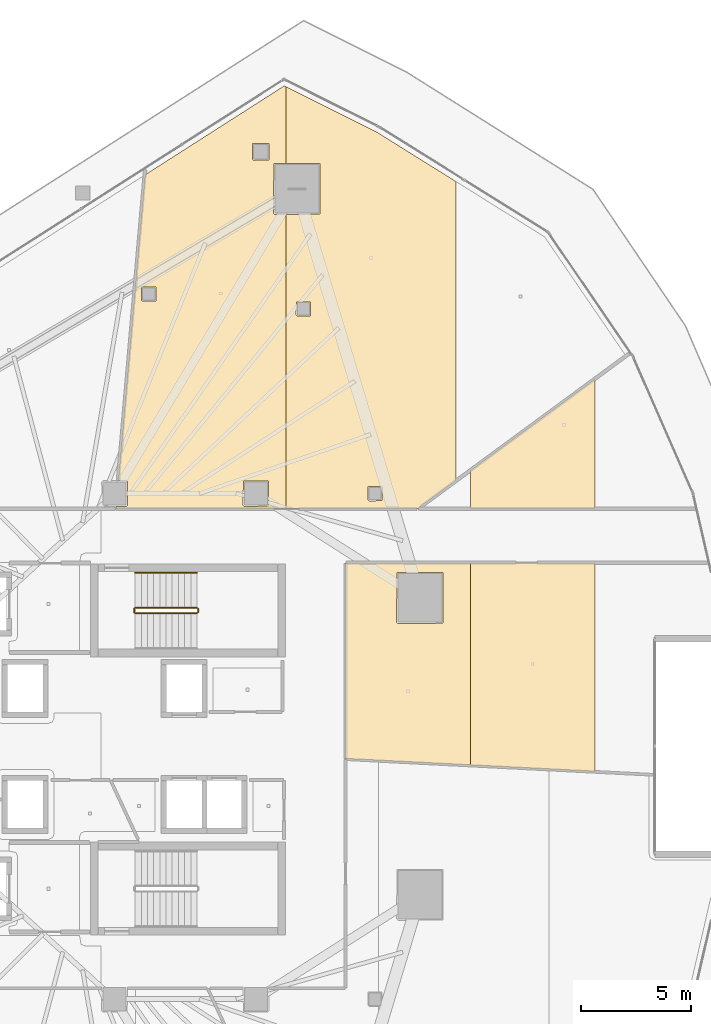
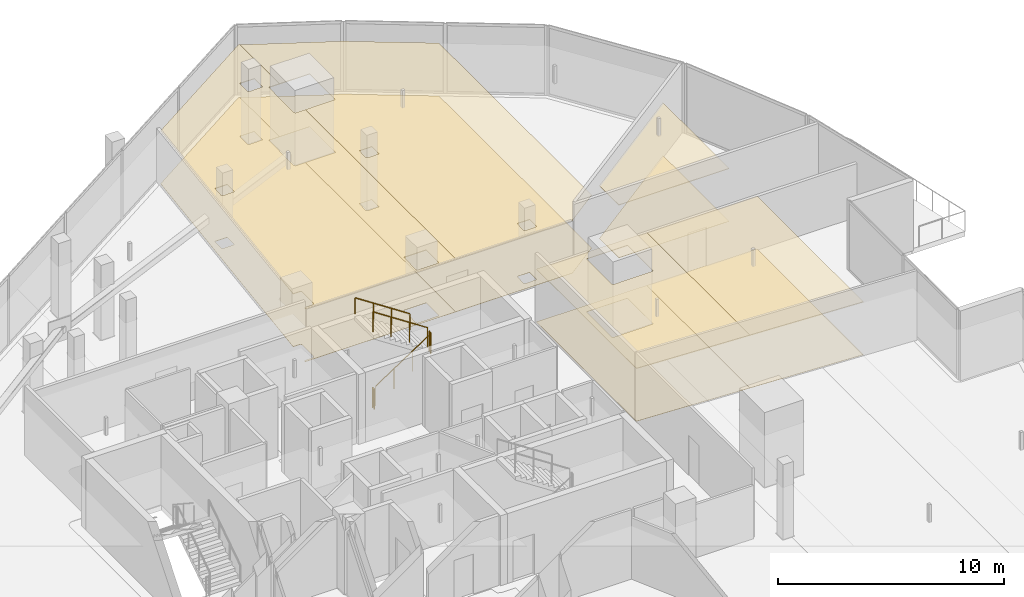
# One storey, part 39 of 40: 10 coverings, 5 railings.
"""IFC4 building model written with IfcOpenShell, lengths in metres."""

from ifc_helpers import new_model, si_unit, direction, frame, origin, origin_2d, place, context, subcontext, project, spatial, polyline, circle, outline, extrude, material, layer, layer_set, type_object, element, save


model = new_model("IFC4")

# Units and contexts
model_context = context("Model", 3, precision=1e-05, world=origin(), true_north=direction((0.0, 1.0)))
body_context = subcontext(model_context, "Body", "Model", "MODEL_VIEW")
ifc_project = project(units=[si_unit("LENGTHUNIT", "METRE"), si_unit("AREAUNIT", "SQUARE_METRE"), si_unit("VOLUMEUNIT", "CUBIC_METRE"), si_unit("PLANEANGLEUNIT", "RADIAN"), si_unit("MASSUNIT", "GRAM", prefix="KILO")], contexts=[model_context])

# Site, building, storey
site_placement = place(None, origin())
site = spatial("IfcSite", under=ifc_project, at=site_placement, CompositionType="ELEMENT")
building_placement = place(site_placement, origin())
building = spatial("IfcBuilding", under=site, at=building_placement, Name="Qorvath Tower", CompositionType="ELEMENT")
storey_placement = place(building_placement, frame((0.0, 0.0, 138.14990234375)))
storey = spatial("IfcBuildingStorey", under=building, at=storey_placement, Name="L31", CompositionType="ELEMENT", Elevation=138.14990234375)

# Coverings
ifc_material_1 = material(Name="Acoustic mineral fibre ceiling tile", Category="gypsum")
ifc_layer_1 = layer(ifc_material_1, 0.030029296875)
ifc_layer_set_1 = layer_set([ifc_layer_1], Name="COV-CEIL")
covering_type_1 = type_object("IfcCoveringType", Name="COV-CEIL", PredefinedType="CEILING", material=ifc_layer_set_1)
covering_1_placement = place(storey_placement, frame((0.0, 0.0, 2.85009765625)))
element("IfcCovering", 1, at=covering_1_placement, inside=storey, type_object=covering_type_1, Name="L31 Suspended Acoustic Ceiling 023", PredefinedType="CEILING", context=body_context, shape_type="SweptSolid", body=[
    extrude(outline(polyline([(-7.492431640625, -0.853515625), (-7.492431640625, 8.3076171875), (-13.136962890625, 8.306884765625), (-13.136962890625, -0.56591796875), (-7.492431640625, -0.853515625)]), holes=[polyline([(-10.830322265625, 5.621337890625), (-10.812744140625, 7.86376953125), (-8.727783203125, 7.86376953125), (-8.727783203125, 5.578857421875), (-10.770263671875, 5.561279296875), (-10.830322265625, 5.621337890625)])]), origin(), (0.0, 0.0, 1.0), 0.030029296875),
])
covering_2_placement = place(storey_placement, frame((0.0, 0.0, 2.85009765625)))
element("IfcCovering", 2, at=covering_2_placement, inside=storey, type_object=covering_type_1, Name="L31 Suspended Acoustic Ceiling 024", PredefinedType="CEILING", context=body_context, shape_type="SweptSolid", body=[
    extrude(outline(polyline([(-1.84765625, -1.14111328125), (-1.84765625, 8.308349609375), (-7.492431640625, 8.3076171875), (-7.492431640625, -0.853515625), (-1.84765625, -1.14111328125)])), origin(), (0.0, 0.0, 1.0), 0.030029296875),
])
covering_3_placement = place(storey_placement, frame((0.0, 0.0, 2.85009765625)))
element("IfcCovering", 3, at=covering_3_placement, inside=storey, type_object=covering_type_1, Name="L31 Suspended Acoustic Ceiling 025", PredefinedType="CEILING", context=body_context, shape_type="SweptSolid", body=[
    extrude(outline(polyline([(-1.84765625, 10.762939453125), (-1.84765625, 16.640869140625), (-7.492431640625, 12.49267578125), (-7.492431640625, 10.762939453125), (-1.84765625, 10.762939453125)])), origin(), (0.0, 0.0, 1.0), 0.030029296875),
])
covering_4_placement = place(storey_placement, frame((0.0, 0.0, 2.85009765625)))
element("IfcCovering", 4, at=covering_4_placement, inside=storey, type_object=covering_type_1, Name="L31 Suspended Acoustic Ceiling 026", PredefinedType="CEILING", context=body_context, shape_type="SweptSolid", body=[
    extrude(outline(polyline([(-15.91552734375, 29.914794921875), (-22.222412109375, 25.8837890625), (-23.43408203125, 12.034912109375), (-23.074951171875, 12.034912109375), (-23.014892578125, 11.97509765625), (-23.014892578125, 10.925048828125), (-23.074951171875, 10.864990234375), (-23.536376953125, 10.864990234375), (-23.54541015625, 10.762939453125), (-15.84619140625, 10.762939453125), (-15.84619140625, 24.09033203125), (-16.34423828125, 24.086181640625), (-16.404296875, 24.14599609375), (-16.38671875, 26.388427734375), (-15.84619140625, 26.388427734375), (-15.84619140625, 29.880126953125), (-15.91552734375, 29.914794921875)]), holes=[polyline([(-17.3662109375, 26.604248046875), (-17.3486328125, 27.296630859375), (-16.61376953125, 27.296630859375), (-16.61376953125, 26.561767578125), (-17.30615234375, 26.544189453125), (-17.3662109375, 26.604248046875)]), polyline([(-17.784912109375, 10.925048828125), (-17.767333984375, 12.017333984375), (-16.632568359375, 12.017333984375), (-16.632568359375, 10.882568359375), (-17.72509765625, 10.864990234375), (-17.784912109375, 10.925048828125)]), polyline([(-22.38818359375, 20.219970703125), (-22.37060546875, 20.812255859375), (-21.73583984375, 20.812255859375), (-21.73583984375, 20.177490234375), (-22.328125, 20.159912109375), (-22.38818359375, 20.219970703125)])]), origin(), (0.0, 0.0, 1.0), 0.030029296875),
])
covering_5_placement = place(storey_placement, frame((0.0, 0.0, 2.85009765625)))
element("IfcCovering", 5, at=covering_5_placement, inside=storey, type_object=covering_type_1, Name="L31 Suspended Acoustic Ceiling 027", PredefinedType="CEILING", context=body_context, shape_type="SweptSolid", body=[
    extrude(outline(polyline([(-15.84619140625, 29.880126953125), (-15.84619140625, 26.388427734375), (-14.3017578125, 26.388427734375), (-14.3017578125, 24.103759765625), (-15.84619140625, 24.09033203125), (-15.84619140625, 10.762939453125), (-9.876220703125, 10.762939453125), (-8.147216796875, 12.03369140625), (-8.147216796875, 25.584716796875), (-11.740234375, 27.8271484375), (-15.84619140625, 29.880126953125)]), holes=[polyline([(-12.135009765625, 11.175048828125), (-12.117431640625, 11.767333984375), (-11.482666015625, 11.767333984375), (-11.482666015625, 11.132568359375), (-12.074951171875, 11.114990234375), (-12.135009765625, 11.175048828125)]), polyline([(-15.381103515625, 19.543212890625), (-15.363525390625, 20.135498046875), (-14.728759765625, 20.135498046875), (-14.728759765625, 19.500732421875), (-15.321044921875, 19.483154296875), (-15.381103515625, 19.543212890625)])]), origin(), (0.0, 0.0, 1.0), 0.030029296875),
])
ifc_material_2 = material(Name="Low-VOC modular carpet tile", Category="textile")
ifc_layer_2 = layer(ifc_material_2, 0.014892578125)
ifc_layer_set_2 = layer_set([ifc_layer_2], Name="COV-FLOOR-CPT")
covering_type_2 = type_object("IfcCoveringType", Name="COV-FLOOR-CPT", PredefinedType="FLOORING", material=ifc_layer_set_2)
covering_6_placement = place(storey_placement, origin())
element("IfcCovering", 6, at=covering_6_placement, inside=storey, type_object=covering_type_2, Name="L31 Floor Finish 023", PredefinedType="FLOORING", context=body_context, shape_type="SweptSolid", body=[
    extrude(outline(polyline([(-7.492431640625, -0.853515625), (-7.492431640625, 8.3076171875), (-13.136962890625, 8.306884765625), (-13.136962890625, -0.56591796875), (-7.492431640625, -0.853515625)]), holes=[polyline([(-10.830322265625, 5.621337890625), (-10.812744140625, 7.86376953125), (-8.727783203125, 7.86376953125), (-8.727783203125, 5.578857421875), (-10.770263671875, 5.561279296875), (-10.830322265625, 5.621337890625)])]), origin(), (0.0, 0.0, 1.0), 0.01513671875),
])
covering_7_placement = place(storey_placement, origin())
element("IfcCovering", 7, at=covering_7_placement, inside=storey, type_object=covering_type_2, Name="L31 Floor Finish 024", PredefinedType="FLOORING", context=body_context, shape_type="SweptSolid", body=[
    extrude(outline(polyline([(-1.84765625, -1.14111328125), (-1.84765625, 8.308349609375), (-7.492431640625, 8.3076171875), (-7.492431640625, -0.853515625), (-1.84765625, -1.14111328125)])), origin(), (0.0, 0.0, 1.0), 0.01513671875),
])
covering_8_placement = place(storey_placement, origin())
element("IfcCovering", 8, at=covering_8_placement, inside=storey, type_object=covering_type_2, Name="L31 Floor Finish 025", PredefinedType="FLOORING", context=body_context, shape_type="SweptSolid", body=[
    extrude(outline(polyline([(-1.84765625, 10.762939453125), (-1.84765625, 16.640869140625), (-7.492431640625, 12.49267578125), (-7.492431640625, 10.762939453125), (-1.84765625, 10.762939453125)])), origin(), (0.0, 0.0, 1.0), 0.01513671875),
])
covering_9_placement = place(storey_placement, origin())
element("IfcCovering", 9, at=covering_9_placement, inside=storey, type_object=covering_type_2, Name="L31 Floor Finish 026", PredefinedType="FLOORING", context=body_context, shape_type="SweptSolid", body=[
    extrude(outline(polyline([(-15.91552734375, 29.914794921875), (-22.222412109375, 25.8837890625), (-23.43408203125, 12.034912109375), (-23.074951171875, 12.034912109375), (-23.014892578125, 11.97509765625), (-23.014892578125, 10.925048828125), (-23.074951171875, 10.864990234375), (-23.536376953125, 10.864990234375), (-23.54541015625, 10.762939453125), (-15.84619140625, 10.762939453125), (-15.84619140625, 24.09033203125), (-16.34423828125, 24.086181640625), (-16.404296875, 24.14599609375), (-16.38671875, 26.388427734375), (-15.84619140625, 26.388427734375), (-15.84619140625, 29.880126953125), (-15.91552734375, 29.914794921875)]), holes=[polyline([(-17.3662109375, 26.604248046875), (-17.3486328125, 27.296630859375), (-16.61376953125, 27.296630859375), (-16.61376953125, 26.561767578125), (-17.30615234375, 26.544189453125), (-17.3662109375, 26.604248046875)]), polyline([(-17.784912109375, 10.925048828125), (-17.767333984375, 12.017333984375), (-16.632568359375, 12.017333984375), (-16.632568359375, 10.882568359375), (-17.72509765625, 10.864990234375), (-17.784912109375, 10.925048828125)]), polyline([(-22.38818359375, 20.219970703125), (-22.37060546875, 20.812255859375), (-21.73583984375, 20.812255859375), (-21.73583984375, 20.177490234375), (-22.328125, 20.159912109375), (-22.38818359375, 20.219970703125)])]), origin(), (0.0, 0.0, 1.0), 0.01513671875),
])
covering_10_placement = place(storey_placement, origin())
element("IfcCovering", 10, at=covering_10_placement, inside=storey, type_object=covering_type_2, Name="L31 Floor Finish 027", PredefinedType="FLOORING", context=body_context, shape_type="SweptSolid", body=[
    extrude(outline(polyline([(-15.84619140625, 29.880126953125), (-15.84619140625, 26.388427734375), (-14.3017578125, 26.388427734375), (-14.3017578125, 24.103759765625), (-15.84619140625, 24.09033203125), (-15.84619140625, 10.762939453125), (-9.876220703125, 10.762939453125), (-8.147216796875, 12.03369140625), (-8.147216796875, 25.584716796875), (-11.740234375, 27.8271484375), (-15.84619140625, 29.880126953125)]), holes=[polyline([(-12.135009765625, 11.175048828125), (-12.117431640625, 11.767333984375), (-11.482666015625, 11.767333984375), (-11.482666015625, 11.132568359375), (-12.074951171875, 11.114990234375), (-12.135009765625, 11.175048828125)]), polyline([(-15.381103515625, 19.543212890625), (-15.363525390625, 20.135498046875), (-14.728759765625, 20.135498046875), (-14.728759765625, 19.500732421875), (-15.321044921875, 19.483154296875), (-15.381103515625, 19.543212890625)])]), origin(), (0.0, 0.0, 1.0), 0.01513671875),
])

# Railings
ifc_material_3 = material(Name="Painted galvanised steel", Category="steel")
railing_type_1 = type_object("IfcRailingType", Name="RL-STR-GRD", PredefinedType="GUARDRAIL", material=ifc_material_3)
railing_1_placement = place(storey_placement, frame((-22.669921875, 6.030029296875, 0.18408203125)))
element("IfcRailing", 11, at=railing_1_placement, inside=storey, type_object=railing_type_1, Name="L31 TS1 stair guard 1", PredefinedType="GUARDRAIL", context=body_context, shape_type="SweptSolid", body=[
    extrude(circle(Radius=0.02392578125, at=origin_2d()), frame((0.0, 0.0, 1.076171875), z_axis=(0.835542071712, 0.0, 0.549426470421), x_axis=(0.0, 1.0, 0.0)), (0.0, 0.0, 1.0), 3.350830078125),
    extrude(circle(Radius=0.02099609375, at=origin_2d()), origin(), (0.0, 0.0, 1.0), 1.052001953125),
    extrude(circle(Radius=0.02099609375, at=origin_2d()), frame((0.933349609375, 0.0, 0.61376953125)), (0.0, 0.0, 1.0), 1.052001953125),
    extrude(circle(Radius=0.02099609375, at=origin_2d()), frame((1.866455078125, 0.0, 1.227294921875)), (0.0, 0.0, 1.0), 1.052001953125),
    extrude(circle(Radius=0.02099609375, at=origin_2d()), frame((2.7998046875, 0.0, 1.841064453125)), (0.0, 0.0, 1.0), 1.052001953125),
])
railing_2_placement = place(storey_placement, frame((-19.820068359375, 6.080078125, 2.025146484375)))
element("IfcRailing", 12, at=railing_2_placement, inside=storey, type_object=railing_type_1, Name="L31 TS1 stair guard 2", PredefinedType="GUARDRAIL", context=body_context, shape_type="SweptSolid", body=[
    extrude(circle(Radius=0.02392578125, at=origin_2d()), frame((0.0, 0.0, 1.076171875), z_axis=(0.0, 1.0, 0.0), x_axis=(-1.0, 0.0, 0.0)), (0.0, 0.0, 1.0), 0.14990234375),
    extrude(circle(Radius=0.02099609375, at=origin_2d()), origin(), (0.0, 0.0, 1.0), 1.052001953125),
    extrude(circle(Radius=0.02099609375, at=origin_2d()), frame((0.0, 0.14990234375, 0.0)), (0.0, 0.0, 1.0), 1.052001953125),
])
railing_3_placement = place(storey_placement, frame((-19.8701171875, 6.280029296875, 2.209228515625)))
element("IfcRailing", 13, at=railing_3_placement, inside=storey, type_object=railing_type_1, Name="L31 TS1 stair guard 3", PredefinedType="GUARDRAIL", context=body_context, shape_type="SweptSolid", body=[
    extrude(circle(Radius=0.02392578125, at=origin_2d()), frame((0.0, 0.0, 1.076171875), z_axis=(-0.835575518608, 0.0, 0.549375602573), x_axis=(0.0, -1.0, 0.0)), (0.0, 0.0, 1.0), 3.350830078125),
    extrude(circle(Radius=0.02099609375, at=origin_2d()), origin(), (0.0, 0.0, 1.0), 1.052001953125),
    extrude(circle(Radius=0.02099609375, at=origin_2d()), frame((-0.933349609375, 0.0, 0.613525390625)), (0.0, 0.0, 1.0), 1.052001953125),
    extrude(circle(Radius=0.02099609375, at=origin_2d()), frame((-1.866455078125, 0.0, 1.227294921875)), (0.0, 0.0, 1.0), 1.052001953125),
    extrude(circle(Radius=0.02099609375, at=origin_2d()), frame((-2.7998046875, 0.0, 1.8408203125)), (0.0, 0.0, 1.0), 1.052001953125),
])
railing_4_placement = place(storey_placement, frame((-22.719970703125, 6.080078125, 0.0)))
element("IfcRailing", 14, at=railing_4_placement, inside=storey, type_object=railing_type_1, Name="L31 TS1 stair guard 4", PredefinedType="GUARDRAIL", context=body_context, shape_type="SweptSolid", body=[
    extrude(circle(Radius=0.02392578125, at=origin_2d()), frame((0.0, 0.0, 1.076171875), z_axis=(0.0, 1.0, 0.0), x_axis=(-1.0, 0.0, 0.0)), (0.0, 0.0, 1.0), 0.14990234375),
    extrude(circle(Radius=0.02099609375, at=origin_2d()), origin(), (0.0, 0.0, 1.0), 1.052001953125),
    extrude(circle(Radius=0.02099609375, at=origin_2d()), frame((0.0, 0.14990234375, 0.0)), (0.0, 0.0, 1.0), 1.052001953125),
])
ifc_material_4 = material(Name="Brushed stainless steel AISI 304", Category="steel")
railing_type_2 = type_object("IfcRailingType", Name="RL-STR-HND", PredefinedType="HANDRAIL", material=ifc_material_4)
railing_5_placement = place(storey_placement, frame((-19.8701171875, 7.860107421875, 2.209228515625)))
element("IfcRailing", 15, at=railing_5_placement, inside=storey, type_object=railing_type_2, Name="L31 TS1 stair handrail 2", PredefinedType="HANDRAIL", context=body_context, shape_type="SweptSolid", body=[
    extrude(circle(Radius=0.02392578125, at=origin_2d()), frame((0.0, 0.0, 0.8759765625), z_axis=(-0.835575518608, 0.0, 0.549375602573), x_axis=(0.0, -1.0, 0.0)), (0.0, 0.0, 1.0), 3.350830078125),
    extrude(circle(Radius=0.02099609375, at=origin_2d()), origin(), (0.0, 0.0, 1.0), 0.851806640625),
    extrude(circle(Radius=0.02099609375, at=origin_2d()), frame((-0.933349609375, 0.0, 0.613525390625)), (0.0, 0.0, 1.0), 0.851806640625),
    extrude(circle(Radius=0.02099609375, at=origin_2d()), frame((-1.866455078125, 0.0, 1.227294921875)), (0.0, 0.0, 1.0), 0.851806640625),
    extrude(circle(Radius=0.02099609375, at=origin_2d()), frame((-2.7998046875, 0.0, 1.8408203125)), (0.0, 0.0, 1.0), 0.851806640625),
])

save(model, "model.ifc")
